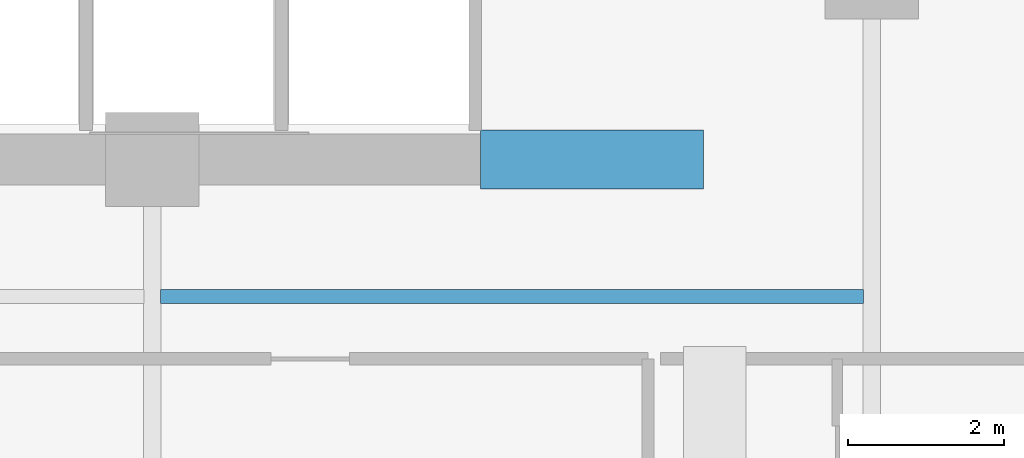
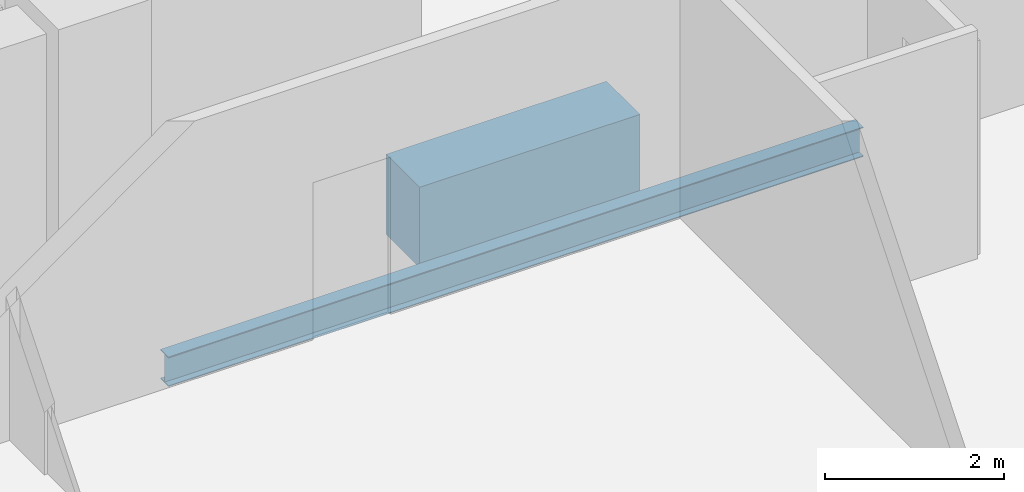
# One storey, part 12 of 32: 2 beams.
"""IFC4 building model written with IfcOpenShell, lengths in metres."""

from ifc_helpers import new_model, si_unit, direction, frame, origin, origin_2d, place, context, subcontext, project, spatial, rectangle, i_section, extrude, material, material_profile, profile_set, type_object, element, save


model = new_model("IFC4")

# Units and contexts
model_context = context("Model", 3, precision=1e-05, world=origin(), true_north=direction((0.0, 1.0)))
body_context = subcontext(model_context, "Body", "Model", "MODEL_VIEW")
ifc_project = project(units=[si_unit("LENGTHUNIT", "METRE"), si_unit("AREAUNIT", "SQUARE_METRE"), si_unit("VOLUMEUNIT", "CUBIC_METRE"), si_unit("PLANEANGLEUNIT", "RADIAN"), si_unit("MASSUNIT", "GRAM", prefix="KILO")], contexts=[model_context])

# Site, building, storey
site_placement = place(None, origin())
site = spatial("IfcSite", under=ifc_project, at=site_placement, CompositionType="ELEMENT")
building_placement = place(site_placement, origin())
building = spatial("IfcBuilding", under=site, at=building_placement, Name="Zuhayl Quay Hotel", CompositionType="ELEMENT")
storey_placement = place(building_placement, frame((0.0, 0.0, 218.64990234375)))
storey = spatial("IfcBuildingStorey", under=building, at=storey_placement, Name="L55", CompositionType="ELEMENT", Elevation=218.64990234375)

# Beams
ifc_material_1 = material(Name="Concrete C60/75", Category="concrete")
ifc_material_profile_1 = material_profile(ifc_material_1, rectangle(XDim=0.75, YDim=1.10009765625, at=origin_2d()), Name="RC750X1100")
ifc_profile_set_1 = profile_set([ifc_material_profile_1], Name="Concrete C60/75")
beam_type_1 = type_object("IfcBeamType", Name="BM_CB2_RC750", PredefinedType="T_BEAM", material=ifc_profile_set_1)
beam_1_placement = place(storey_placement, frame((8.800048828125, 2.14990234375, -0.77001953125), z_axis=(1.0, 0.0, 0.0), x_axis=(0.0, 1.0, 0.0)))
element("IfcBeam", 1, at=beam_1_placement, inside=storey, type_object=beam_type_1, Name="L55 Core Coupling Beam SE", PredefinedType="T_BEAM", context=body_context, shape_type="SweptSolid", body=[
    extrude(rectangle(XDim=0.75, YDim=1.10009765625, at=origin_2d()), origin(), (0.0, 0.0, 1.0), 2.849853515625),
])
ifc_material_2 = material(Name="Steel ASTM A992 Grade 50", Category="steel")
ifc_material_profile_2 = material_profile(ifc_material_2, i_section(OverallWidth=0.177978515625, OverallDepth=0.406005859375, WebThickness=0.0078125, FlangeThickness=0.0126953125, at=origin_2d()), Name="W16X40")
ifc_profile_set_2 = profile_set([ifc_material_profile_2], Name="Steel ASTM A992 Grade 50")
beam_type_2 = type_object("IfcBeamType", Name="BM_J2B_W16X40", PredefinedType="JOIST", material=ifc_profile_set_2)
beam_2_placement = place(storey_placement, frame((4.7060546875, 0.39990234375, -0.4228515625), z_axis=(1.0, 0.0, 0.0), x_axis=(0.0, 1.0, 0.0)))
element("IfcBeam", 2, at=beam_2_placement, inside=storey, type_object=beam_type_2, Name="L55 Floor Beam FJ_L55_8_3", PredefinedType="JOIST", context=body_context, shape_type="SweptSolid", body=[
    extrude(i_section(OverallWidth=0.177978515625, OverallDepth=0.406005859375, WebThickness=0.0078125, FlangeThickness=0.0126953125, at=origin_2d()), origin(), (0.0, 0.0, 1.0), 8.988037109375),
])

save(model, "model.ifc")
